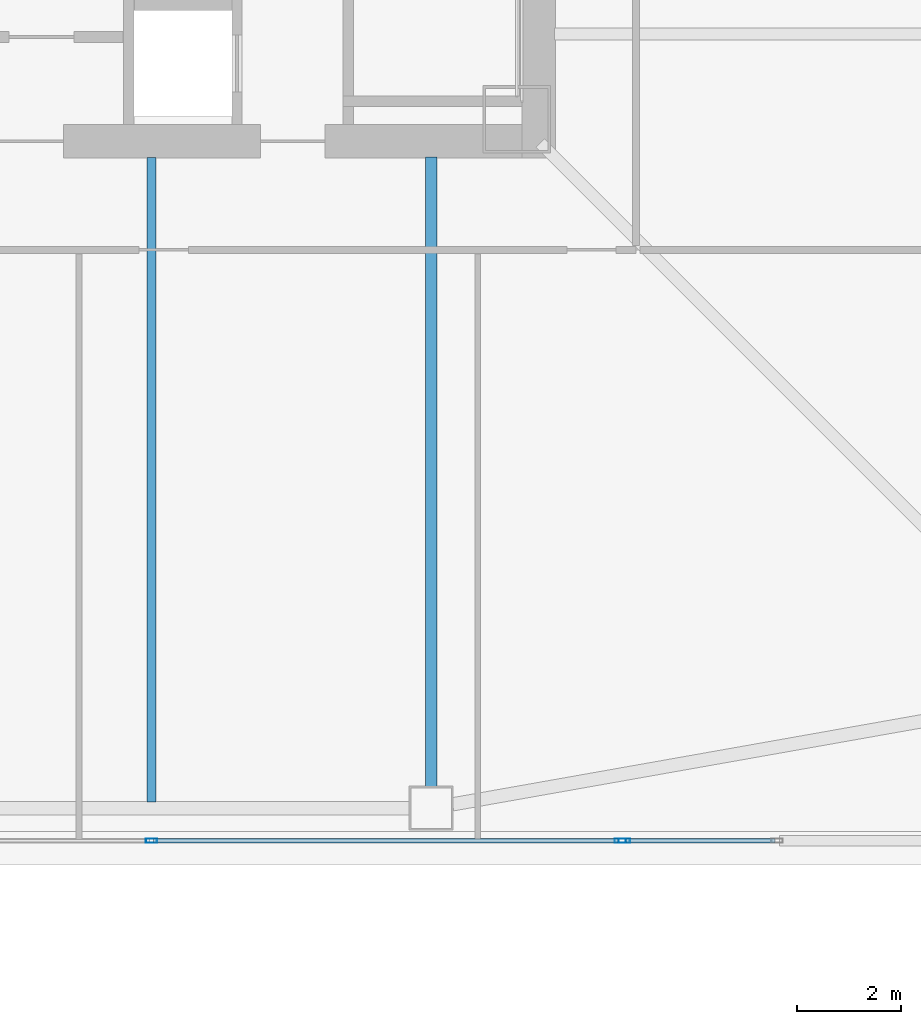
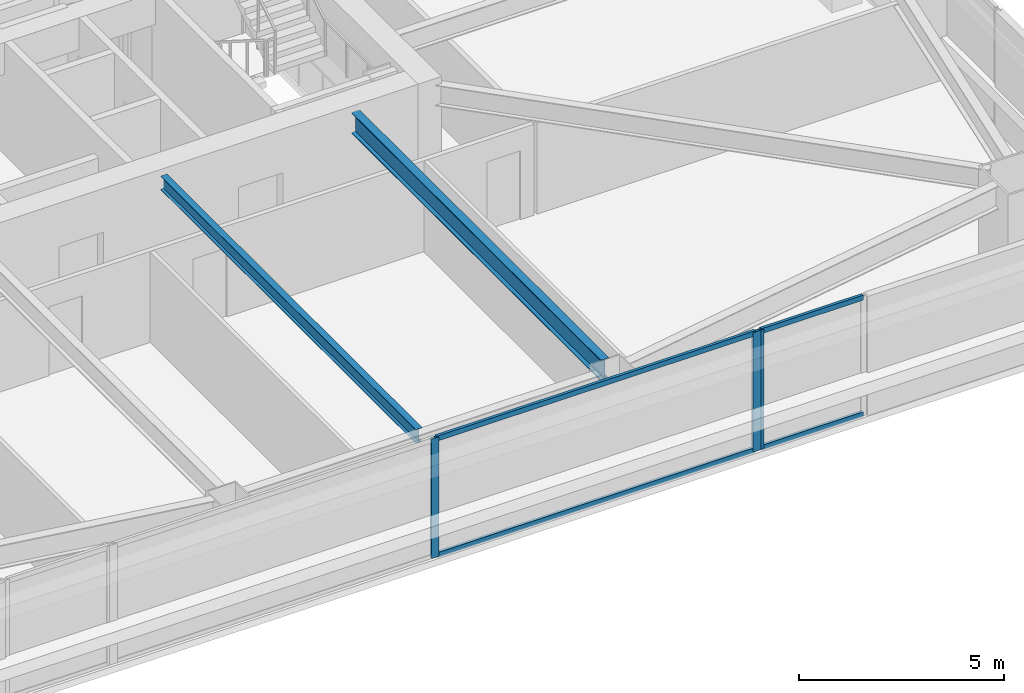
# One storey, part 5 of 44: 7 members, 2 beams, 2 elements without a shape of their own.
"""IFC4 building model written with IfcOpenShell, lengths in metres."""

from ifc_helpers import new_model, si_unit, direction, frame, origin, origin_2d, place, context, subcontext, project, spatial, hollow_rectangle, i_section, extrude, material, material_profile, profile_set, type_object, element, aggregate, save


model = new_model("IFC4")

# Units and contexts
model_context = context("Model", 3, precision=1e-05, world=origin(), true_north=direction((0.0, 1.0)))
body_context = subcontext(model_context, "Body", "Model", "MODEL_VIEW")
ifc_project = project(units=[si_unit("LENGTHUNIT", "METRE"), si_unit("AREAUNIT", "SQUARE_METRE"), si_unit("VOLUMEUNIT", "CUBIC_METRE"), si_unit("PLANEANGLEUNIT", "RADIAN"), si_unit("MASSUNIT", "GRAM", prefix="KILO")], contexts=[model_context])

# Site, building, storey
site_placement = place(None, origin())
site = spatial("IfcSite", under=ifc_project, at=site_placement, CompositionType="ELEMENT")
building_placement = place(site_placement, origin())
building = spatial("IfcBuilding", under=site, at=building_placement, Name="Tashvorn Skyway Center", CompositionType="ELEMENT")
storey_placement = place(building_placement, frame((0.0, 0.0, 74.300048828125)))
storey = spatial("IfcBuildingStorey", under=building, at=storey_placement, Name="L19", CompositionType="ELEMENT", Elevation=74.300048828125)

# Beams
ifc_material_1 = material(Name="Steel ASTM A992 Grade 50", Category="steel")
ifc_material_profile_1 = material_profile(ifc_material_1, i_section(OverallWidth=0.22998046875, OverallDepth=0.616943359375, WebThickness=0.01318359375, FlangeThickness=0.022216796875, at=origin_2d()), Name="W24X94")
ifc_profile_set_1 = profile_set([ifc_material_profile_1], Name="Steel ASTM A992 Grade 50")
beam_type_1 = type_object("IfcBeamType", Name="BM-BEAM-W24X94", PredefinedType="BEAM", material=ifc_profile_set_1)
beam_1_placement = place(storey_placement, frame((47.39990234375, 12.070068359375, 3.04150390625), z_axis=(0.0, 1.0, 0.0), x_axis=(-1.0, 0.0, 0.0)))
element("IfcBeam", 1, at=beam_1_placement, inside=storey, type_object=beam_type_1, Name="Tower 1 L19 Primary Floor Girder FC-S2", PredefinedType="BEAM", context=body_context, shape_type="SweptSolid", body=[
    extrude(i_section(OverallWidth=0.22998046875, OverallDepth=0.616943359375, WebThickness=0.01318359375, FlangeThickness=0.022216796875, at=origin_2d()), origin(), (0.0, 0.0, 1.0), 12.14990234375),
])
ifc_material_profile_2 = material_profile(ifc_material_1, i_section(OverallWidth=0.177978515625, OverallDepth=0.406005859375, WebThickness=0.0078125, FlangeThickness=0.0126953125, at=origin_2d()), Name="W16X40")
ifc_profile_set_2 = profile_set([ifc_material_profile_2], Name="Steel ASTM A992 Grade 50")
beam_type_2 = type_object("IfcBeamType", Name="BM-JOIST-W16X40", PredefinedType="JOIST", material=ifc_profile_set_2)
beam_2_placement = place(storey_placement, frame((42.0, 24.2099609375, 3.14697265625), z_axis=(0.0, -1.0, 0.0), x_axis=(1.0, 0.0, 0.0)))
element("IfcBeam", 2, at=beam_2_placement, inside=storey, type_object=beam_type_2, Name="Tower 1 L19 Secondary Composite Joist JS", PredefinedType="JOIST", context=body_context, shape_type="SweptSolid", body=[
    extrude(i_section(OverallWidth=0.177978515625, OverallDepth=0.406005859375, WebThickness=0.0078125, FlangeThickness=0.0126953125, at=origin_2d()), origin(), (0.0, 0.0, 1.0), 12.43994140625),
])

# Curtain wall, member
ifc_material_2 = material(Name="Thermally broken bronze-anodized aluminium 6063-T6", Category="aluminium")
curtain_wall_type = type_object("IfcCurtainWallType", Name="CW-CW-Z2", PredefinedType="NOTDEFINED", material=ifc_material_2)
curtain_wall_1_placement = place(storey_placement, origin())
curtain_wall_1 = element("IfcCurtainWall", 3, at=curtain_wall_1_placement, inside=storey, type_object=curtain_wall_type, Name="Tower 1 L19 South Unitised Curtain Wall Glazing Group 1", PredefinedType="NOTDEFINED")
ifc_material_profile_3 = material_profile(ifc_material_2, hollow_rectangle(XDim=0.080078125, YDim=0.219970703125, WallThickness=0.0048828125, at=origin_2d()), Name="ALU-MULL-80x220")
ifc_profile_set_3 = profile_set([ifc_material_profile_3], Name="Thermally broken bronze-anodized aluminium 6063-T6")
member_type_1 = type_object("IfcMemberType", Name="CWM-CW-Z2", PredefinedType="MULLION", material=ifc_profile_set_3)
member_1_placement = place(storey_placement, frame((51.1298828125, 11.02001953125, 0.0), z_axis=(0.0, 0.0, 1.0), x_axis=(0.0, -1.0, 0.0)))
member_1 = element("IfcMember", 4, at=member_1_placement, type_object=member_type_1, Name="CW-Z2 mullion 2", PredefinedType="MULLION", context=body_context, shape_type="SweptSolid", body=[
    extrude(hollow_rectangle(XDim=0.080078125, YDim=0.219970703125, WallThickness=0.0048828125, at=origin_2d()), origin(), (0.0, 0.0, 1.0), 3.550048828125),
])

# Curtain wall, members
curtain_wall_2_placement = place(storey_placement, origin())
curtain_wall_2 = element("IfcCurtainWall", 5, at=curtain_wall_2_placement, inside=storey, type_object=curtain_wall_type, Name="Tower 1 L19 South Unitised Curtain Wall Glazing Group 2", PredefinedType="NOTDEFINED")
member_2_placement = place(storey_placement, frame((51.050048828125, 11.02001953125, 0.0), z_axis=(0.0, 0.0, 1.0), x_axis=(0.0, -1.0, 0.0)))
member_2 = element("IfcMember", 6, at=member_2_placement, type_object=member_type_1, Name="CW-Z2 mullion 1", PredefinedType="MULLION", context=body_context, shape_type="SweptSolid", body=[
    extrude(hollow_rectangle(XDim=0.080078125, YDim=0.219970703125, WallThickness=0.0048828125, at=origin_2d()), origin(), (0.0, 0.0, 1.0), 3.550048828125),
])
member_3_placement = place(storey_placement, frame((42.0, 11.02001953125, 0.0), z_axis=(0.0, 0.0, 1.0), x_axis=(0.0, -1.0, 0.0)))
member_3 = element("IfcMember", 7, at=member_3_placement, type_object=member_type_1, Name="CW-Z2 mullion 2", PredefinedType="MULLION", context=body_context, shape_type="SweptSolid", body=[
    extrude(hollow_rectangle(XDim=0.080078125, YDim=0.219970703125, WallThickness=0.0048828125, at=origin_2d()), origin(), (0.0, 0.0, 1.0), 3.550048828125),
])

# Member
ifc_material_profile_4 = material_profile(ifc_material_2, hollow_rectangle(XDim=0.080078125, YDim=0.14990234375, WallThickness=0.00439453125, at=origin_2d()), Name="ALU-TRAN-80x150")
ifc_profile_set_4 = profile_set([ifc_material_profile_4], Name="Thermally broken bronze-anodized aluminium 6063-T6")
member_type_2 = type_object("IfcMemberType", Name="CWT-CW-Z2", PredefinedType="USERDEFINED", material=ifc_profile_set_4)
member_4_placement = place(storey_placement, frame((54.0400390625, 11.02001953125, 0.0400390625), z_axis=(-1.0, 0.0, 0.0), x_axis=(0.0, -1.0, 0.0)))
member_4 = element("IfcMember", 8, at=member_4_placement, type_object=member_type_2, Name="CW-Z2 transom 1.1", ObjectType="TRANSOM", PredefinedType="USERDEFINED", context=body_context, shape_type="SweptSolid", body=[
    extrude(hollow_rectangle(XDim=0.080078125, YDim=0.14990234375, WallThickness=0.00439453125, at=origin_2d()), origin(), (0.0, 0.0, 1.0), 2.8701171875),
])

member_5_placement = place(storey_placement, frame((54.0400390625, 11.02001953125, 3.510009765625), z_axis=(-1.0, 0.0, 0.0), x_axis=(0.0, -1.0, 0.0)))
member_5 = element("IfcMember", 9, at=member_5_placement, type_object=member_type_2, Name="CW-Z2 transom 1.2", ObjectType="TRANSOM", PredefinedType="USERDEFINED", context=body_context, shape_type="SweptSolid", body=[
    extrude(hollow_rectangle(XDim=0.080078125, YDim=0.14990234375, WallThickness=0.00439453125, at=origin_2d()), origin(), (0.0, 0.0, 1.0), 2.8701171875),
])

aggregate(curtain_wall_1, [member_1, member_4, member_5])

member_6_placement = place(storey_placement, frame((51.010009765625, 11.02001953125, 0.0400390625), z_axis=(-1.0, 0.0, 0.0), x_axis=(0.0, -1.0, 0.0)))
member_6 = element("IfcMember", 10, at=member_6_placement, type_object=member_type_2, Name="CW-Z2 transom 1.1", ObjectType="TRANSOM", PredefinedType="USERDEFINED", context=body_context, shape_type="SweptSolid", body=[
    extrude(hollow_rectangle(XDim=0.080078125, YDim=0.14990234375, WallThickness=0.00439453125, at=origin_2d()), origin(), (0.0, 0.0, 1.0), 8.969970703125),
])

member_7_placement = place(storey_placement, frame((51.010009765625, 11.02001953125, 3.510009765625), z_axis=(-1.0, 0.0, 0.0), x_axis=(0.0, -1.0, 0.0)))
member_7 = element("IfcMember", 11, at=member_7_placement, type_object=member_type_2, Name="CW-Z2 transom 1.2", ObjectType="TRANSOM", PredefinedType="USERDEFINED", context=body_context, shape_type="SweptSolid", body=[
    extrude(hollow_rectangle(XDim=0.080078125, YDim=0.14990234375, WallThickness=0.00439453125, at=origin_2d()), origin(), (0.0, 0.0, 1.0), 8.969970703125),
])

aggregate(curtain_wall_2, [member_2, member_3, member_6, member_7])

save(model, "model.ifc")
